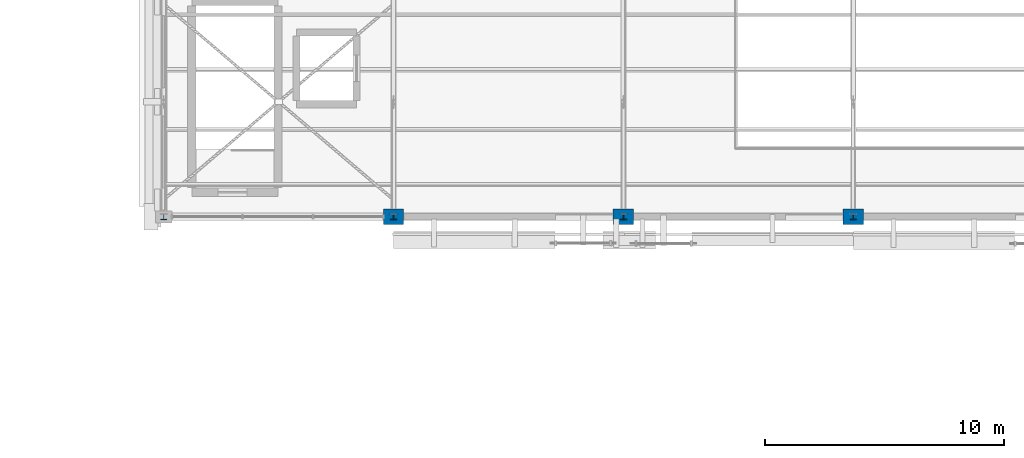
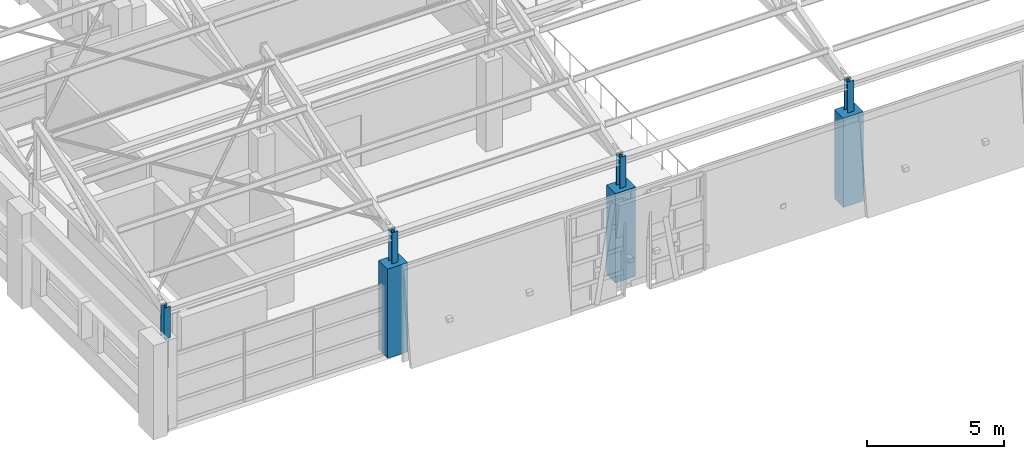
# One storey, part 2 of 58: 7 columns.
"""IFC4 building model written with IfcOpenShell, lengths in metres."""

from ifc_helpers import new_model, si_unit, direction, frame, origin, origin_2d, place, context, subcontext, project, spatial, rectangle, i_section, extrude, material, material_profile, profile_set, type_object, element, save


model = new_model("IFC4")

# Units and contexts
model_context = context("Model", 3, precision=1e-05, world=origin(), true_north=direction((0.0, 1.0)))
body_context = subcontext(model_context, "Body", "Model", "MODEL_VIEW")
ifc_project = project(units=[si_unit("LENGTHUNIT", "METRE"), si_unit("AREAUNIT", "SQUARE_METRE"), si_unit("VOLUMEUNIT", "CUBIC_METRE"), si_unit("PLANEANGLEUNIT", "RADIAN"), si_unit("MASSUNIT", "GRAM", prefix="KILO")], contexts=[model_context])

# Site, building, storey
site_placement = place(None, origin())
site = spatial("IfcSite", under=ifc_project, at=site_placement, CompositionType="ELEMENT")
building_placement = place(site_placement, origin())
building = spatial("IfcBuilding", under=site, at=building_placement, Name="Bempovik Park Faculty of Sciences", CompositionType="ELEMENT")
storey_placement = place(building_placement, frame((0.0, 0.0, 18.300048828125)))
storey = spatial("IfcBuildingStorey", under=building, at=storey_placement, Name="L04", CompositionType="ELEMENT", Elevation=18.300048828125)

# Columns
ifc_material_1 = material(Name="Concrete C40/50", Category="concrete")
ifc_material_profile_1 = material_profile(ifc_material_1, rectangle(XDim=0.85009765625, YDim=0.64990234375, at=origin_2d()), Name="RC 850x650")
ifc_profile_set_1 = profile_set([ifc_material_profile_1], Name="Concrete C40/50")
column_type_1 = type_object("IfcColumnType", Name="C-71 RC 850x650", PredefinedType="COLUMN", material=ifc_profile_set_1)
for number, where, z_axis, x_axis, name in (
    (1, (60.0, 67.800048828125, 0.0), (0.0, 0.0, 1.0), (1.0, 0.0, 0.0), "L04 Structural Column (60.0,67.8)"),
    (2, (69.60009765625, 67.800048828125, 0.0), (0.0, 0.0, 1.0), (1.0, 0.0, 0.0), "L04 Structural Column (69.6,67.8)"),
    (3, (79.199951171875, 67.800048828125, 0.0), (0.0, 0.0, 1.0), (1.0, 0.0, 0.0), "L04 Structural Column (79.2,67.8)"),
):
    element("IfcColumn", number, at=place(storey_placement, frame(where, z_axis=z_axis, x_axis=x_axis)), inside=storey, type_object=column_type_1, Name=name, PredefinedType="COLUMN", context=body_context, shape_type="SweptSolid", body=[
        extrude(rectangle(XDim=0.85009765625, YDim=0.64990234375, at=origin_2d()), origin(), (0.0, 0.0, 1.0), 3.97998046875),
    ])
ifc_material_2 = material(Name="Steel S355", Category="steel")
ifc_material_profile_2 = material_profile(ifc_material_2, i_section(OverallWidth=0.260009765625, OverallDepth=0.260009765625, WebThickness=0.010009765625, FlangeThickness=0.017578125, at=origin_2d()), Name="HEB 260")
ifc_profile_set_2 = profile_set([ifc_material_profile_2], Name="Steel S355")
column_type_2 = type_object("IfcColumnType", Name="C-80 HEB 260", PredefinedType="COLUMN", material=ifc_profile_set_2)
for number, where, z_axis, x_axis, name in (
    (4, (50.39990234375, 67.800048828125, 3.98583984375), (0.0, 0.0, 1.0), (1.0, 0.0, 0.0), "Sawtooth Clerestory Steel Column V2 (50.4,67.8)"),
    (5, (60.0, 67.800048828125, 3.98583984375), (0.0, 0.0, 1.0), (1.0, 0.0, 0.0), "Sawtooth Clerestory Steel Column V2 (60.0,67.8)"),
    (6, (69.60009765625, 67.800048828125, 3.98583984375), (0.0, 0.0, 1.0), (1.0, 0.0, 0.0), "Sawtooth Clerestory Steel Column V2 (69.6,67.8)"),
    (7, (79.199951171875, 67.800048828125, 3.98583984375), (0.0, 0.0, 1.0), (1.0, 0.0, 0.0), "Sawtooth Clerestory Steel Column V2 (79.2,67.8)"),
):
    element("IfcColumn", number, at=place(storey_placement, frame(where, z_axis=z_axis, x_axis=x_axis)), inside=storey, type_object=column_type_2, Name=name, PredefinedType="COLUMN", context=body_context, shape_type="SweptSolid", body=[
        extrude(i_section(OverallWidth=0.260009765625, OverallDepth=0.260009765625, WebThickness=0.010009765625, FlangeThickness=0.017578125, at=origin_2d()), origin(), (0.0, 0.0, 1.0), 1.38916015625),
    ])

save(model, "model.ifc")
